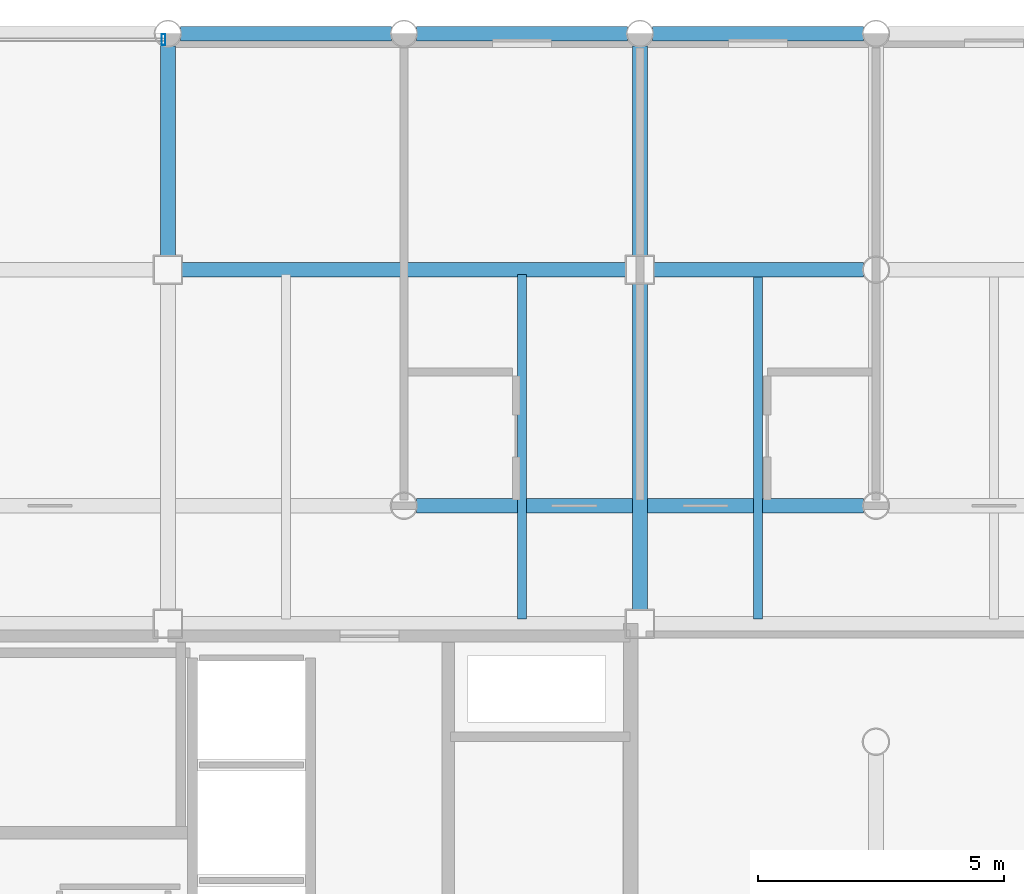
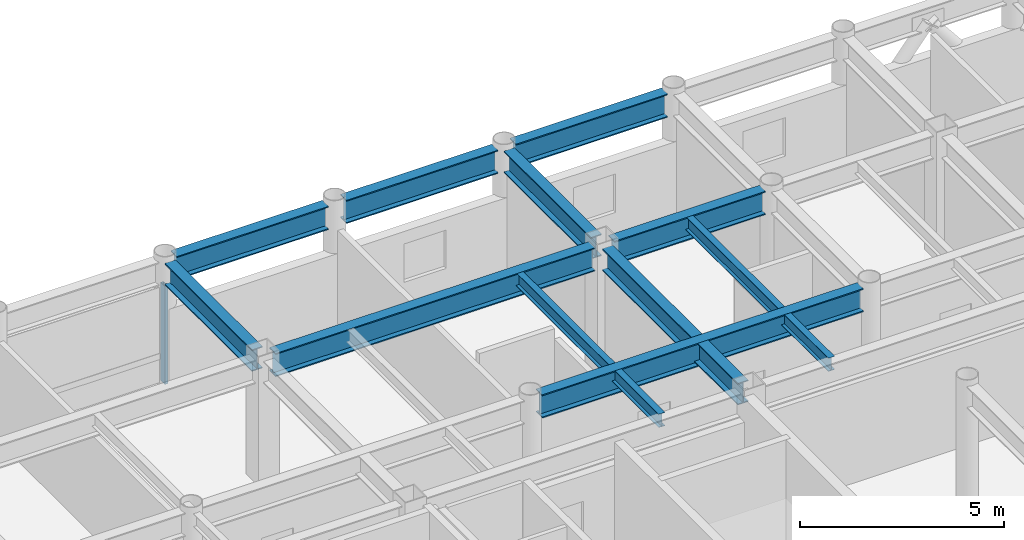
# One storey, part 14 of 21: 11 beams, 1 member, 1 element without a shape of its own.
"""IFC4 building model written with IfcOpenShell, lengths in metres."""

from ifc_helpers import new_model, si_unit, direction, frame, origin, origin_2d, place, context, subcontext, project, spatial, hollow_rectangle, i_section, extrude, material, layer, layer_set, material_profile, profile_set, type_object, element, aggregate, save


model = new_model("IFC4")

# Units and contexts
model_context = context("Model", 3, precision=1e-05, world=origin(), true_north=direction((0.0, 1.0)))
body_context = subcontext(model_context, "Body", "Model", "MODEL_VIEW")
ifc_project = project(units=[si_unit("LENGTHUNIT", "METRE"), si_unit("AREAUNIT", "SQUARE_METRE"), si_unit("VOLUMEUNIT", "CUBIC_METRE"), si_unit("PLANEANGLEUNIT", "RADIAN"), si_unit("MASSUNIT", "GRAM", prefix="KILO")], contexts=[model_context])

# Site, building, storey
site_placement = place(None, origin())
site = spatial("IfcSite", under=ifc_project, at=site_placement, CompositionType="ELEMENT")
building_placement = place(site_placement, origin())
building = spatial("IfcBuilding", under=site, at=building_placement, Name="Kallvorn Hotel Tower", CompositionType="ELEMENT")
storey_placement = place(building_placement, frame((0.0, 0.0, 210.75)))
storey = spatial("IfcBuildingStorey", under=building, at=storey_placement, Name="L52", CompositionType="ELEMENT", Elevation=210.75)

# Beams
ifc_material_1 = material(Name="Structural steel S355JR", Category="steel")
ifc_material_profile_1 = material_profile(ifc_material_1, i_section(OverallWidth=0.300048828125, OverallDepth=0.64990234375, WebThickness=0.01611328125, FlangeThickness=0.031005859375, at=origin_2d()), Name="HE 650 B")
ifc_profile_set_1 = profile_set([ifc_material_profile_1], Name="Structural steel S355JR")
beam_type_1 = type_object("IfcBeamType", Name="BM_HE650B", PredefinedType="BEAM", material=ifc_profile_set_1)
beam_1_placement = place(storey_placement, frame((4.800048828125, 14.675048828125, 3.344970703125), z_axis=(0.0, 1.0, 0.0), x_axis=(-1.0, 0.0, 0.0)))
element("IfcBeam", 1, at=beam_1_placement, inside=storey, type_object=beam_type_1, Name="L53 Primary Y-Girder 117", PredefinedType="BEAM", context=body_context, shape_type="SweptSolid", body=[
    extrude(i_section(OverallWidth=0.300048828125, OverallDepth=0.64990234375, WebThickness=0.01611328125, FlangeThickness=0.031005859375, at=origin_2d()), origin(), (0.0, 0.0, 1.0), 4.2705078125),
])
beam_2_placement = place(storey_placement, frame((14.39990234375, 7.47509765625, 3.344970703125), z_axis=(0.0, 1.0, 0.0), x_axis=(-1.0, 0.0, 0.0)))
element("IfcBeam", 2, at=beam_2_placement, inside=storey, type_object=beam_type_1, Name="L53 Primary Y-Girder 124", PredefinedType="BEAM", context=body_context, shape_type="SweptSolid", body=[
    extrude(i_section(OverallWidth=0.300048828125, OverallDepth=0.64990234375, WebThickness=0.01611328125, FlangeThickness=0.031005859375, at=origin_2d()), origin(), (0.0, 0.0, 1.0), 6.64990234375),
])
beam_3_placement = place(storey_placement, frame((14.39990234375, 14.675048828125, 3.344970703125), z_axis=(0.0, 1.0, 0.0), x_axis=(-1.0, 0.0, 0.0)))
element("IfcBeam", 3, at=beam_3_placement, inside=storey, type_object=beam_type_1, Name="L53 Primary Y-Girder 125", PredefinedType="BEAM", context=body_context, shape_type="SweptSolid", body=[
    extrude(i_section(OverallWidth=0.300048828125, OverallDepth=0.64990234375, WebThickness=0.01611328125, FlangeThickness=0.031005859375, at=origin_2d()), origin(), (0.0, 0.0, 1.0), 4.2705078125),
])
ifc_material_2 = material(Name="Structural steel S355JR", Category="steel")
ifc_material_profile_2 = material_profile(ifc_material_2, i_section(OverallWidth=0.300048828125, OverallDepth=0.699951171875, WebThickness=0.01708984375, FlangeThickness=0.031982421875, at=origin_2d()), Name="HE 700 B")
ifc_profile_set_2 = profile_set([ifc_material_profile_2], Name="Structural steel S355JR")
beam_type_2 = type_object("IfcBeamType", Name="BM_HE700B", PredefinedType="BEAM", material=ifc_profile_set_2)
beam_4_placement = place(storey_placement, frame((9.8544921875, 9.60009765625, 3.320068359375), z_axis=(1.0, 0.0, 0.0), x_axis=(0.0, 1.0, 0.0)))
element("IfcBeam", 4, at=beam_4_placement, inside=storey, type_object=beam_type_2, Name="L53 Primary X-Girder 47", PredefinedType="BEAM", context=body_context, shape_type="SweptSolid", body=[
    extrude(i_section(OverallWidth=0.300048828125, OverallDepth=0.699951171875, WebThickness=0.01708984375, FlangeThickness=0.031982421875, at=origin_2d()), origin(), (0.0, 0.0, 1.0), 9.091064453125),
])
beam_5_placement = place(storey_placement, frame((5.074951171875, 14.39990234375, 3.320068359375), z_axis=(1.0, 0.0, 0.0), x_axis=(0.0, 1.0, 0.0)))
element("IfcBeam", 5, at=beam_5_placement, inside=storey, type_object=beam_type_2, Name="L53 Primary X-Girder 56", PredefinedType="BEAM", context=body_context, shape_type="SweptSolid", body=[
    extrude(i_section(OverallWidth=0.300048828125, OverallDepth=0.699951171875, WebThickness=0.01708984375, FlangeThickness=0.031982421875, at=origin_2d()), origin(), (0.0, 0.0, 1.0), 9.050048828125),
])
beam_6_placement = place(storey_placement, frame((14.675048828125, 14.39990234375, 3.320068359375), z_axis=(1.0, 0.0, 0.0), x_axis=(0.0, 1.0, 0.0)))
element("IfcBeam", 6, at=beam_6_placement, inside=storey, type_object=beam_type_2, Name="L53 Primary X-Girder 57", PredefinedType="BEAM", context=body_context, shape_type="SweptSolid", body=[
    extrude(i_section(OverallWidth=0.300048828125, OverallDepth=0.699951171875, WebThickness=0.01708984375, FlangeThickness=0.031982421875, at=origin_2d()), origin(), (0.0, 0.0, 1.0), 4.2705078125),
])
for number, where, z_axis, x_axis, name in (
    (7, (5.054443359375, 19.199951171875, 3.320068359375), (1.0, 0.0, 0.0), (0.0, 1.0, 0.0), "L53 Primary X-Girder 68"),
    (8, (9.8544921875, 19.199951171875, 3.320068359375), (1.0, 0.0, 0.0), (0.0, 1.0, 0.0), "L53 Primary X-Girder 69"),
    (9, (14.654541015625, 19.199951171875, 3.320068359375), (1.0, 0.0, 0.0), (0.0, 1.0, 0.0), "L53 Primary X-Girder 70"),
):
    element("IfcBeam", number, at=place(storey_placement, frame(where, z_axis=z_axis, x_axis=x_axis)), inside=storey, type_object=beam_type_2, Name=name, PredefinedType="BEAM", context=body_context, shape_type="SweptSolid", body=[
        extrude(i_section(OverallWidth=0.300048828125, OverallDepth=0.699951171875, WebThickness=0.01708984375, FlangeThickness=0.031982421875, at=origin_2d()), origin(), (0.0, 0.0, 1.0), 4.291015625),
    ])
ifc_material_3 = material(Name="Structural steel S355JR", Category="steel")
ifc_material_profile_3 = material_profile(ifc_material_3, i_section(OverallWidth=0.179931640625, OverallDepth=0.39990234375, WebThickness=0.008544921875, FlangeThickness=0.013427734375, at=origin_2d()), Name="IPE 400")
ifc_profile_set_3 = profile_set([ifc_material_profile_3], Name="Structural steel S355JR")
beam_type_3 = type_object("IfcBeamType", Name="BM_IPE400", PredefinedType="JOIST", material=ifc_profile_set_3)
for number, where, z_axis, x_axis, name in (
    (10, (12.0, 7.300048828125, 3.469970703125), (0.0, 1.0, 0.0), (-1.0, 0.0, 0.0), "L53 Secondary Composite Joist 205"),
    (11, (16.800048828125, 7.300048828125, 3.469970703125), (0.0, 1.0, 0.0), (-1.0, 0.0, 0.0), "L53 Secondary Composite Joist 207"),
):
    element("IfcBeam", number, at=place(storey_placement, frame(where, z_axis=z_axis, x_axis=x_axis)), inside=storey, type_object=beam_type_3, Name=name, PredefinedType="JOIST", context=body_context, shape_type="SweptSolid", body=[
        extrude(i_section(OverallWidth=0.179931640625, OverallDepth=0.39990234375, WebThickness=0.008544921875, FlangeThickness=0.013427734375, at=origin_2d()), origin(), (0.0, 0.0, 1.0), 7.0),
    ])

# Curtain wall, member
ifc_material_4 = material(Name="Thermally broken black-anodised aluminium AA 6063-T6", Category="aluminium")
ifc_layer = layer(ifc_material_4, 0.22998046875)
ifc_layer_set = layer_set([ifc_layer], Name="CW_SYS_5_HOTEL_HIGH")
curtain_wall_type = type_object("IfcCurtainWallType", Name="CW_SYS_5_HOTEL_HIGH", PredefinedType="USERDEFINED", material=ifc_layer_set)
curtain_wall_placement = place(storey_placement, origin())
curtain_wall = element("IfcCurtainWall", 12, at=curtain_wall_placement, inside=storey, type_object=curtain_wall_type, Name="L52 Dark-Glass Curtain Wall CW-L52-NC", ObjectType="UNITISED CURTAIN WALL", PredefinedType="USERDEFINED")
ifc_material_5 = material(Name="Thermally broken black-anodised aluminium AA 6063-T6", Category="aluminium")
ifc_material_profile_4 = material_profile(ifc_material_5, hollow_rectangle(XDim=0.080078125, YDim=0.219970703125, WallThickness=0.0048828125, at=origin_2d()), Name="MUL 220x80")
ifc_profile_set_4 = profile_set([ifc_material_profile_4], Name="Thermally broken black-anodised aluminium AA 6063-T6")
member_type = type_object("IfcMemberType", Name="CW_MULLION_220x80", PredefinedType="MULLION", material=ifc_profile_set_4)
member_placement = place(storey_placement, frame((4.7099609375, 19.080078125, 0.02001953125), z_axis=(0.0, 0.0, 1.0), x_axis=(1.0, 0.0, 0.0)))
member = element("IfcMember", 13, at=member_placement, type_object=member_type, Name="CW-L52-NC Mullion 02", PredefinedType="MULLION", context=body_context, shape_type="SweptSolid", body=[
    extrude(hollow_rectangle(XDim=0.080078125, YDim=0.219970703125, WallThickness=0.0048828125, at=origin_2d()), origin(), (0.0, 0.0, 1.0), 2.929931640625),
])
aggregate(curtain_wall, [member])

save(model, "model.ifc")
